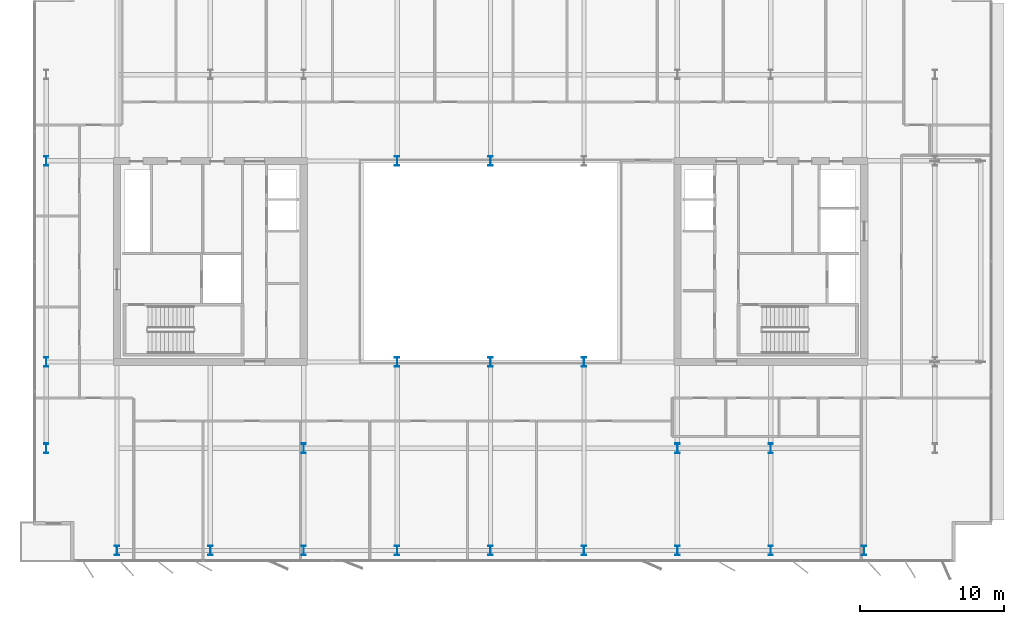
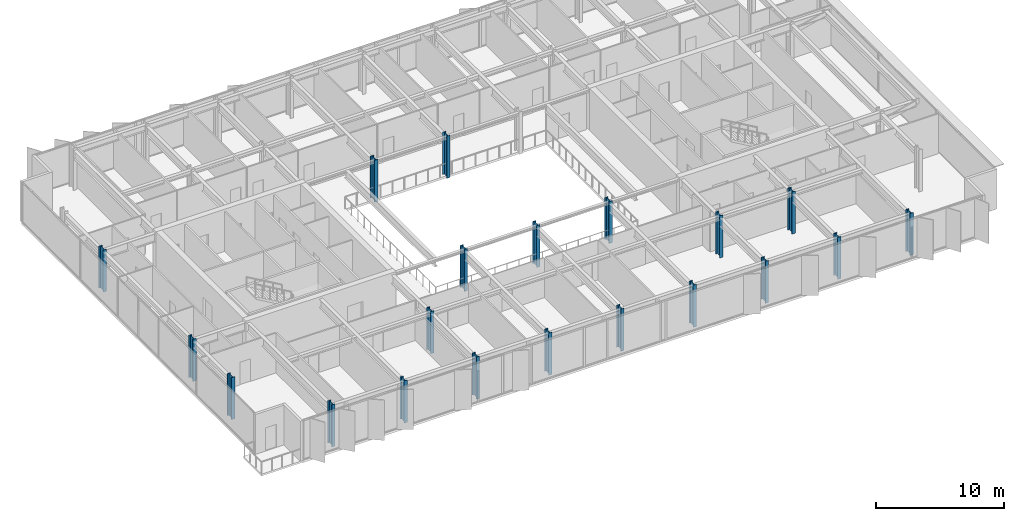
# One storey, part 1 of 20: 20 columns.
"""IFC4 building model written with IfcOpenShell, lengths in metres."""

from ifc_helpers import new_model, si_unit, direction, frame, origin, origin_2d, place, context, subcontext, project, spatial, i_section, extrude, material, material_profile, profile_set, type_object, element, save


model = new_model("IFC4")

# Units and contexts
model_context = context("Model", 3, precision=1e-05, world=origin(), true_north=direction((0.0, 1.0)))
body_context = subcontext(model_context, "Body", "Model", "MODEL_VIEW")
ifc_project = project(units=[si_unit("LENGTHUNIT", "METRE"), si_unit("AREAUNIT", "SQUARE_METRE"), si_unit("VOLUMEUNIT", "CUBIC_METRE"), si_unit("PLANEANGLEUNIT", "RADIAN"), si_unit("MASSUNIT", "GRAM", prefix="KILO")], contexts=[model_context])

# Site, building, storey
site_placement = place(None, origin())
site = spatial("IfcSite", under=ifc_project, at=site_placement, CompositionType="ELEMENT")
building_placement = place(site_placement, origin())
building = spatial("IfcBuilding", under=site, at=building_placement, Name="Putna Gate Headquarters", CompositionType="ELEMENT")
storey_placement = place(building_placement, frame((0.0, 0.0, 298.39990234375)))
storey = spatial("IfcBuildingStorey", under=building, at=storey_placement, Name="L75", CompositionType="ELEMENT", Elevation=298.39990234375)

# Columns
ifc_material = material(Name="Steel S460M", Category="steel")
ifc_material_profile_1 = material_profile(ifc_material, i_section(OverallWidth=0.304931640625, OverallDepth=0.66796875, WebThickness=0.02099609375, FlangeThickness=0.0400390625, at=origin_2d()), Name="Steel S460M")
ifc_profile_set_1 = profile_set([ifc_material_profile_1], Name="Steel S460M")
column_type_1 = type_object("IfcColumnType", Name="COL-STL-HEM650-EXT", PredefinedType="COLUMN", material=ifc_profile_set_1)
for number, where, z_axis, x_axis, name in (
    (1, (13.0, 5.8798828125, 0.0), (0.0, 0.0, 1.0), (1.0, 0.0, 0.0), "L75 Column CP-S13"),
    (2, (19.5, 5.8798828125, 0.0), (0.0, 0.0, 1.0), (1.0, 0.0, 0.0), "L75 Column CP-S19"),
    (3, (26.0, 5.8798828125, 0.0), (0.0, 0.0, 1.0), (1.0, 0.0, 0.0), "L75 Column CP-S26"),
    (4, (32.5, 5.8798828125, 0.0), (0.0, 0.0, 1.0), (1.0, 0.0, 0.0), "L75 Column CP-S32"),
    (5, (39.0, 5.8798828125, 0.0), (0.0, 0.0, 1.0), (1.0, 0.0, 0.0), "L75 Column CP-S39"),
    (6, (45.5, 5.8798828125, 0.0), (0.0, 0.0, 1.0), (1.0, 0.0, 0.0), "L75 Column CP-S45"),
    (7, (52.0, 5.8798828125, 0.0), (0.0, 0.0, 1.0), (1.0, 0.0, 0.0), "L75 Column CP-S52"),
    (8, (58.5, 5.8798828125, 0.0), (0.0, 0.0, 1.0), (1.0, 0.0, 0.0), "L75 Column CP-S58"),
    (9, (65.0, 5.8798828125, 0.0), (0.0, 0.0, 1.0), (1.0, 0.0, 0.0), "L75 Column CP-S65"),
    (10, (8.080078125, 13.0, 0.0), (0.0, 0.0, 1.0), (1.0, 0.0, 0.0), "L75 Column CP-W13"),
    (11, (8.080078125, 19.0, 0.0), (0.0, 0.0, 1.0), (1.0, 0.0, 0.0), "L75 Column CP-W19"),
    (12, (8.080078125, 33.0, 0.0), (0.0, 0.0, 1.0), (1.0, 0.0, 0.0), "L75 Column CP-W33"),
):
    element("IfcColumn", number, at=place(storey_placement, frame(where, z_axis=z_axis, x_axis=x_axis)), inside=storey, type_object=column_type_1, Name=name, PredefinedType="COLUMN", context=body_context, shape_type="SweptSolid", body=[
        extrude(i_section(OverallWidth=0.304931640625, OverallDepth=0.66796875, WebThickness=0.02099609375, FlangeThickness=0.0400390625, at=origin_2d()), origin(), (0.0, 0.0, 1.0), 4.0),
    ])
ifc_material_profile_2 = material_profile(ifc_material, i_section(OverallWidth=0.304931640625, OverallDepth=0.66796875, WebThickness=0.02099609375, FlangeThickness=0.0400390625, at=origin_2d()), Name="Steel S460M")
ifc_profile_set_2 = profile_set([ifc_material_profile_2], Name="Steel S460M")
column_type_2 = type_object("IfcColumnType", Name="COL-STL-HEM650-INT", PredefinedType="COLUMN", material=ifc_profile_set_2)
for number, where, z_axis, x_axis, name in (
    (13, (58.5, 13.0, 0.0), (0.0, 0.0, 1.0), (1.0, 0.0, 0.0), "L75 Column CSI-ES"),
    (14, (32.5, 19.0, 0.0), (0.0, 0.0, 1.0), (1.0, 0.0, 0.0), "L75 Column CAI-S32"),
    (15, (32.5, 33.0, 0.0), (0.0, 0.0, 1.0), (1.0, 0.0, 0.0), "L75 Column CAI-N32"),
    (16, (39.0, 19.0, 0.0), (0.0, 0.0, 1.0), (1.0, 0.0, 0.0), "L75 Column CAI-S39"),
    (17, (39.0, 33.0, 0.0), (0.0, 0.0, 1.0), (1.0, 0.0, 0.0), "L75 Column CAI-N39"),
    (18, (45.5, 19.0, 0.0), (0.0, 0.0, 1.0), (1.0, 0.0, 0.0), "L75 Column CAI-S45"),
    (19, (26.0, 13.0, 0.0), (0.0, 0.0, 1.0), (1.0, 0.0, 0.0), "L75 Column CAP-WS"),
    (20, (52.0, 13.0, 0.0), (0.0, 0.0, 1.0), (1.0, 0.0, 0.0), "L75 Column CAP-ES"),
):
    element("IfcColumn", number, at=place(storey_placement, frame(where, z_axis=z_axis, x_axis=x_axis)), inside=storey, type_object=column_type_2, Name=name, PredefinedType="COLUMN", context=body_context, shape_type="SweptSolid", body=[
        extrude(i_section(OverallWidth=0.304931640625, OverallDepth=0.66796875, WebThickness=0.02099609375, FlangeThickness=0.0400390625, at=origin_2d()), origin(), (0.0, 0.0, 1.0), 4.0),
    ])

save(model, "model.ifc")
